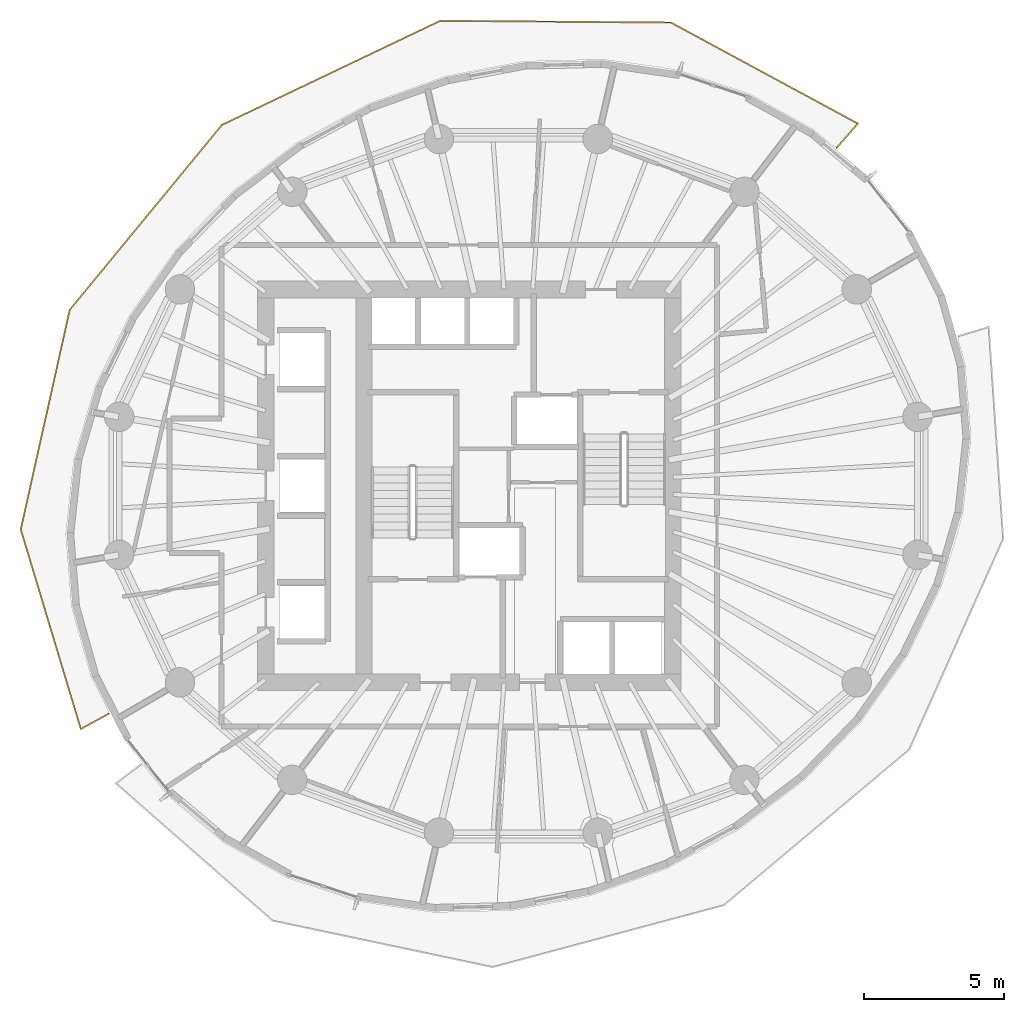
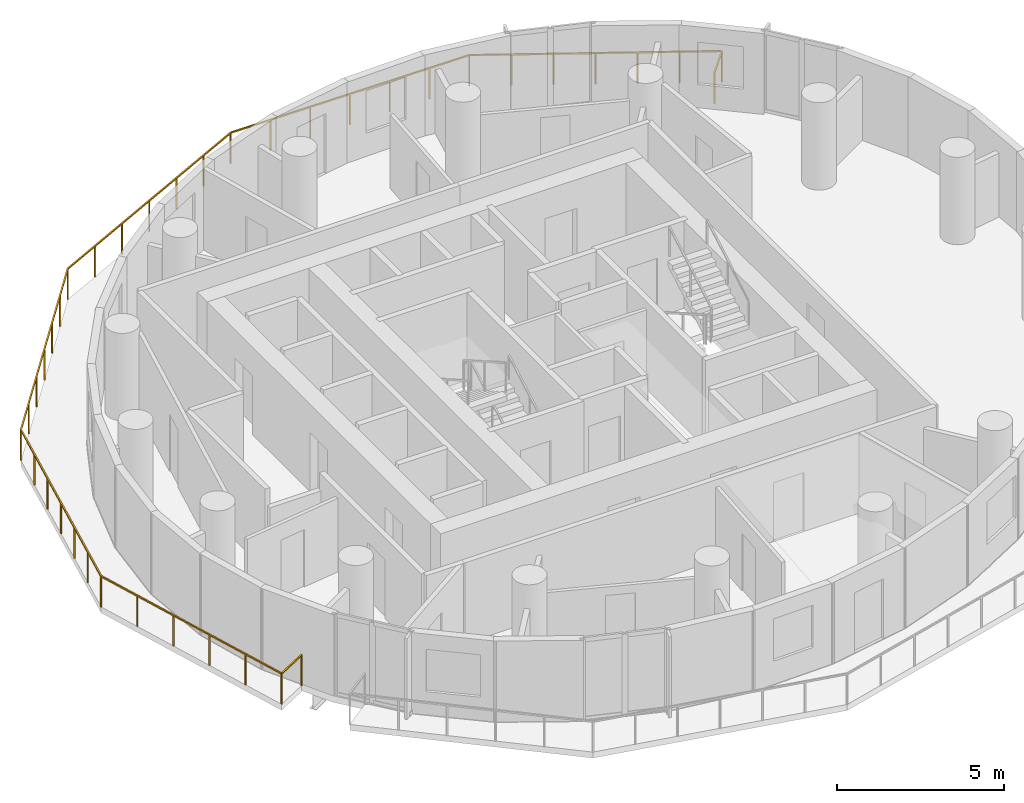
# One storey, part 11 of 12: 1 railing.
"""IFC4 building model written with IfcOpenShell, lengths in metres."""

import ifcopenshell
import ifcopenshell.guid

model = None  # the IFC model being written
_history = None  # IfcOwnerHistory: only IFC2X3 demands one
_inside = {}  # id of a spatial element -> (the spatial element, [elements in it])
_under = {}  # id of a project, library or spatial element -> (it, [spatial elements below it])
_declared = {}  # id of a project -> (the project, [libraries it declares])
_typed = {}  # id of a type object -> (the type object, [elements of that type])
_made_of = {}  # id of a material, layer set ... -> (it, [elements and type objects made of it])


def new_model(schema):
    """Start an empty IFC model of exactly this schema.

    Asked for "IFC4X3", IfcOpenShell would pick the latest addendum, in which some entities
    have other attributes; the version numbers below select the first issue.
    IFC2X3 requires an IfcOwnerHistory on every rooted entity: one is made here for all.
    """
    global model, _history
    if schema == "IFC4X3":
        model = ifcopenshell.file(schema_version=(4, 3, 0, 0))
    else:
        model = ifcopenshell.file(schema=schema)
    _inside.clear()
    _under.clear()
    _declared.clear()
    _typed.clear()
    _made_of.clear()
    _history = None
    if model.schema == "IFC2X3":
        org = make("IfcOrganization", Name="unknown")
        user = make(
            "IfcPersonAndOrganization",
            ThePerson=make("IfcPerson", FamilyName="unknown"),
            TheOrganization=org,
        )
        app = make(
            "IfcApplication",
            ApplicationDeveloper=org,
            Version="unknown",
            ApplicationFullName="unknown",
            ApplicationIdentifier="unknown",
        )
        _history = make(
            "IfcOwnerHistory",
            OwningUser=user,
            OwningApplication=app,
            ChangeAction="ADDED",
            CreationDate=0,
        )
    return model


def make(cls, **values):
    """One entity of the class cls with the attributes given. An attribute that is None is left unset."""
    return model.create_entity(
        cls, **{name: value for name, value in values.items() if value is not None}
    )


def rooted(cls, **values):
    """An entity with a GlobalId (a new one), such as an element, a storey or a relation."""
    return make(cls, GlobalId=ifcopenshell.guid.new(), OwnerHistory=_history, **values)


def si_unit(unit_type, name, prefix=None):
    """IfcSIUnit, for example si_unit("LENGTHUNIT", "METRE", prefix="MILLI")."""
    return make("IfcSIUnit", UnitType=unit_type, Prefix=prefix, Name=name)


def assignment(units):
    """IfcUnitAssignment: the units of a project."""
    return None if units is None else make("IfcUnitAssignment", Units=units)


def point(xyz):
    """IfcCartesianPoint."""
    return None if xyz is None else make("IfcCartesianPoint", Coordinates=xyz)


def direction(xyz):
    """IfcDirection."""
    return None if xyz is None else make("IfcDirection", DirectionRatios=xyz)


def frame(location, z_axis=None, x_axis=None):
    """IfcAxis2Placement3D, a coordinate frame: its origin and axes. An axis left out is left unset."""
    return make(
        "IfcAxis2Placement3D",
        Location=point(location),
        Axis=direction(z_axis),
        RefDirection=direction(x_axis),
    )


def frame_2d(location, x_axis=None):
    """IfcAxis2Placement2D, a coordinate frame in the plane: its origin and x axis."""
    return make(
        "IfcAxis2Placement2D", Location=point(location), RefDirection=direction(x_axis)
    )


def origin():
    """The frame at (0, 0, 0) with its axes left unset."""
    return frame((0.0, 0.0, 0.0))


def origin_2d():
    """The frame at (0, 0) in the plane with its x axis left unset."""
    return frame_2d((0.0, 0.0))


def place(relative_to, where):
    """IfcLocalPlacement: puts the frame where relative to a parent placement (None: the world)."""
    return make(
        "IfcLocalPlacement", PlacementRelTo=relative_to, RelativePlacement=where
    )


def context(
    kind, dimensions, precision=None, world=None, true_north=None, identifier=None
):
    """IfcGeometricRepresentationContext, for example the 3D "Model" context."""
    return make(
        "IfcGeometricRepresentationContext",
        ContextIdentifier=identifier,
        ContextType=kind,
        CoordinateSpaceDimension=dimensions,
        Precision=precision,
        WorldCoordinateSystem=world,
        TrueNorth=true_north,
    )


def subcontext(parent, identifier, kind, view, scale=None):
    """IfcGeometricRepresentationSubContext, for example "Body" below "Model"."""
    return make(
        "IfcGeometricRepresentationSubContext",
        ContextIdentifier=identifier,
        ContextType=kind,
        ParentContext=parent,
        TargetScale=scale,
        TargetView=view,
    )


def project(units=None, contexts=None):
    """IfcProject with its units and contexts."""
    return rooted(
        "IfcProject",
        Name="project",
        RepresentationContexts=contexts,
        UnitsInContext=assignment(units),
    )


def spatial(cls, under=None, at=None, **own):
    """A site, building, storey or space (cls), placed at a placement, below another one or the project."""
    s = rooted(cls, ObjectPlacement=at, **own)
    if under is not None:
        _under.setdefault(under.id(), (under, []))[1].append(s)
    return s


def profile(cls, at=None, kind="AREA", **sizes):
    """A parametric profile (cls). Its sizes go by their IFC names, for example OverallWidth=200.0."""
    return make(cls, ProfileType=kind, Position=at, **sizes)


def rectangle(**sizes):
    """IfcRectangleProfileDef."""
    return profile("IfcRectangleProfileDef", **sizes)


def extrude(swept, where, along, depth):
    """IfcExtrudedAreaSolid: the profile swept, set in the frame where, extruded along a direction by depth."""
    return make(
        "IfcExtrudedAreaSolid",
        SweptArea=swept,
        Position=where,
        ExtrudedDirection=direction(along),
        Depth=depth,
    )


def shape(context_of_items, identifier, shape_type, items):
    """IfcShapeRepresentation: the items that make up one representation, for example the "Body"."""
    return make(
        "IfcShapeRepresentation",
        ContextOfItems=context_of_items,
        RepresentationIdentifier=identifier,
        RepresentationType=shape_type,
        Items=items,
    )


def material(Name=None, Category=None):
    """IfcMaterial."""
    return make("IfcMaterial", Name=Name, Category=Category)


def made_of(thing, what):
    """Note that an element or type object is made of a material, layer set ...; save() writes the relation."""
    if what is not None:
        _made_of.setdefault(what.id(), (what, []))[1].append(thing)
    return thing


def type_object(cls, material=None, **own):
    """A type object (cls), such as IfcWallType, which elements share."""
    return made_of(rooted(cls, **own), material)


def element(
    cls,
    number,
    at=None,
    inside=None,
    cuts=None,
    type_object=None,
    material=None,
    context=None,
    identifier="Body",
    shape_type=None,
    held_by="IfcProductDefinitionShape",
    body=None,
    shapes=None,
    **own,
):
    """One element of the class cls, such as IfcWall. Its Tag is "e" and its number.

    at: its placement. inside: the storey or other place that contains it. cuts: it is an
    opening in that element (IfcRelVoidsElement). A single representation is given by context,
    identifier, shape_type and body (its items); several are given by shapes. held_by: the class
    of the entity that holds the representations. save() writes the other relations.
    """
    e = rooted(cls, Tag="e%d" % number, ObjectPlacement=at, **own)
    if body is not None:
        shapes = [shape(context, identifier, shape_type, body)]
    if shapes is not None:
        e.Representation = make(held_by, Representations=shapes)
    if inside is not None:
        _inside.setdefault(inside.id(), (inside, []))[1].append(e)
    if cuts is not None:
        rooted(
            "IfcRelVoidsElement", RelatingBuildingElement=cuts, RelatedOpeningElement=e
        )
    if type_object is not None:
        _typed.setdefault(type_object.id(), (type_object, []))[1].append(e)
    return made_of(e, material)


def aggregate(whole, parts):
    """IfcRelAggregates: a whole, such as a stair, and the parts it consists of."""
    return rooted("IfcRelAggregates", RelatingObject=whole, RelatedObjects=parts)


def save(model, path):
    """Write the relations noted so far, then the file.

    IfcRelAggregates (storeys below a building ...), IfcRelContainedInSpatialStructure (elements
    in a storey), IfcRelDefinesByType, IfcRelAssociatesMaterial and IfcRelDeclares: one each for
    every whole, place, type object, material and project.
    """
    for whole, parts in _under.values():
        aggregate(whole, parts)
    for where, things in _inside.values():
        rooted(
            "IfcRelContainedInSpatialStructure",
            RelatedElements=things,
            RelatingStructure=where,
        )
    for kind, things in _typed.values():
        rooted("IfcRelDefinesByType", RelatedObjects=things, RelatingType=kind)
    for what, things in _made_of.values():
        rooted("IfcRelAssociatesMaterial", RelatedObjects=things, RelatingMaterial=what)
    for by, libraries in _declared.values():
        rooted("IfcRelDeclares", RelatingContext=by, RelatedDefinitions=libraries)
    model.write(path)


model = new_model("IFC4")

# Units and contexts
model_context = context("Model", 3, precision=1e-05, world=origin(), true_north=direction((0.0, 1.0)))
body_context = subcontext(model_context, "Body", "Model", "MODEL_VIEW")
ifc_project = project(units=[si_unit("LENGTHUNIT", "METRE"), si_unit("AREAUNIT", "SQUARE_METRE"), si_unit("VOLUMEUNIT", "CUBIC_METRE"), si_unit("PLANEANGLEUNIT", "RADIAN"), si_unit("MASSUNIT", "GRAM", prefix="KILO")], contexts=[model_context])

# Site, building, storey
site_placement = place(None, origin())
site = spatial("IfcSite", under=ifc_project, at=site_placement, CompositionType="ELEMENT")
building_placement = place(site_placement, origin())
building = spatial("IfcBuilding", under=site, at=building_placement, Name="Veldorim Arch Residences", CompositionType="ELEMENT")
storey_placement = place(building_placement, frame((0.0, 0.0, 132.9599609375)))
storey = spatial("IfcBuildingStorey", under=building, at=storey_placement, Name="L39", CompositionType="ELEMENT", Elevation=132.9599609375)

# Railing
ifc_material = material(Name="Aluminium", Category="aluminium")
railing_type = type_object("IfcRailingType", Name="Balcony & Terrace Laminated Glass Balustrade 1150", PredefinedType="BALUSTRADE", material=ifc_material)
railing_placement = place(storey_placement, frame((43.344482421875, 36.0439453125, 0.0)))
element("IfcRailing", 1, at=railing_placement, inside=storey, type_object=railing_type, Name="L39 crescent balcony safety balustrade A", PredefinedType="BALUSTRADE", context=body_context, shape_type="SweptSolid", body=[
    extrude(rectangle(XDim=0.048095703125, YDim=0.048095703125, at=origin_2d()), frame((0.0, 0.0, 1.1259765625), z_axis=(0.659871347294, 0.751378602983, 0.0), x_axis=(-0.751378602983, 0.659871347294, 0.0)), (0.0, 0.0, 1.0), 1.14990234375),
    extrude(rectangle(XDim=0.048095703125, YDim=0.048095703125, at=origin_2d()), frame((0.7587890625, 0.864013671875, 1.1259765625), z_axis=(-0.879694854098, 0.475538603768, 0.0), x_axis=(-0.475538603768, -0.879694854098, 0.0)), (0.0, 0.0, 1.0), 7.57568359375),
    extrude(rectangle(XDim=0.048095703125, YDim=0.048095703125, at=origin_2d()), frame((-5.905517578125, 4.466552734375, 1.1259765625), z_axis=(-0.999969496505, 0.007810637569, 0.0), x_axis=(-0.007810637569, -0.999969496505, 0.0)), (0.0, 0.0, 1.0), 8.220703125),
    extrude(rectangle(XDim=0.048095703125, YDim=0.048095703125, at=origin_2d()), frame((-14.1259765625, 4.53076171875, 1.1259765625), z_axis=(-0.902569320291, -0.430544564556, 0.0), x_axis=(0.430544564556, -0.902569320291, 0.0)), (0.0, 0.0, 1.0), 8.62255859375),
    extrude(rectangle(XDim=0.048095703125, YDim=0.048095703125, at=origin_2d()), frame((-21.908447265625, 0.818359375, 1.1259765625), z_axis=(-0.635620004197, -0.772002079184, 0.0), x_axis=(0.772002079184, -0.635620004197, 0.0)), (0.0, 0.0, 1.0), 8.533447265625),
    extrude(rectangle(XDim=0.048095703125, YDim=0.048095703125, at=origin_2d()), frame((-27.33251953125, -5.76953125, 1.1259765625), z_axis=(-0.217536384913, -0.976052212353, 0.0), x_axis=(0.976052212353, -0.217536384913, 0.0)), (0.0, 0.0, 1.0), 8.02001953125),
    extrude(rectangle(XDim=0.048095703125, YDim=0.048095703125, at=origin_2d()), frame((-29.0771484375, -13.597412109375, 1.1259765625), z_axis=(0.288170848247, -0.957579010955, 0.0), x_axis=(0.957579010955, 0.288170848247, 0.0)), (0.0, 0.0, 1.0), 7.42919921875),
    extrude(rectangle(XDim=0.048095703125, YDim=0.048095703125, at=origin_2d()), frame((-26.936279296875, -20.71142578125, 1.1259765625), z_axis=(0.878300933975, 0.478108219317, 0.0), x_axis=(-0.478108219317, 0.878300933975, 0.0)), (0.0, 0.0, 1.0), 1.14990234375),
    extrude(rectangle(XDim=0.0419921875, YDim=0.0419921875, at=origin_2d()), origin(), (0.0, 0.0, 1.0), 1.101806640625),
    extrude(rectangle(XDim=0.0419921875, YDim=0.0419921875, at=origin_2d()), frame((0.7587890625, 0.864013671875, 0.0)), (0.0, 0.0, 1.0), 1.101806640625),
    extrude(rectangle(XDim=0.0419921875, YDim=0.0419921875, at=origin_2d()), frame((-0.35205078125, 1.46435546875, 0.0)), (0.0, 0.0, 1.0), 1.101806640625),
    extrude(rectangle(XDim=0.0419921875, YDim=0.0419921875, at=origin_2d()), frame((-1.462646484375, 2.06494140625, 0.0)), (0.0, 0.0, 1.0), 1.101806640625),
    extrude(rectangle(XDim=0.0419921875, YDim=0.0419921875, at=origin_2d()), frame((-2.5732421875, 2.665283203125, 0.0)), (0.0, 0.0, 1.0), 1.101806640625),
    extrude(rectangle(XDim=0.0419921875, YDim=0.0419921875, at=origin_2d()), frame((-3.68408203125, 3.265625, 0.0)), (0.0, 0.0, 1.0), 1.101806640625),
    extrude(rectangle(XDim=0.0419921875, YDim=0.0419921875, at=origin_2d()), frame((-4.794921875, 3.8662109375, 0.0)), (0.0, 0.0, 1.0), 1.101806640625),
    extrude(rectangle(XDim=0.0419921875, YDim=0.0419921875, at=origin_2d()), frame((-5.905517578125, 4.466552734375, 0.0)), (0.0, 0.0, 1.0), 1.101806640625),
    extrude(rectangle(XDim=0.0419921875, YDim=0.0419921875, at=origin_2d()), frame((-7.275634765625, 4.477294921875, 0.0)), (0.0, 0.0, 1.0), 1.101806640625),
    extrude(rectangle(XDim=0.0419921875, YDim=0.0419921875, at=origin_2d()), frame((-8.645751953125, 4.488037109375, 0.0)), (0.0, 0.0, 1.0), 1.101806640625),
    extrude(rectangle(XDim=0.0419921875, YDim=0.0419921875, at=origin_2d()), frame((-10.015625, 4.49853515625, 0.0)), (0.0, 0.0, 1.0), 1.101806640625),
    extrude(rectangle(XDim=0.0419921875, YDim=0.0419921875, at=origin_2d()), frame((-11.3857421875, 4.50927734375, 0.0)), (0.0, 0.0, 1.0), 1.101806640625),
    extrude(rectangle(XDim=0.0419921875, YDim=0.0419921875, at=origin_2d()), frame((-12.755859375, 4.52001953125, 0.0)), (0.0, 0.0, 1.0), 1.101806640625),
    extrude(rectangle(XDim=0.0419921875, YDim=0.0419921875, at=origin_2d()), frame((-14.1259765625, 4.53076171875, 0.0)), (0.0, 0.0, 1.0), 1.101806640625),
    extrude(rectangle(XDim=0.0419921875, YDim=0.0419921875, at=origin_2d()), frame((-15.423095703125, 3.912109375, 0.0)), (0.0, 0.0, 1.0), 1.101806640625),
    extrude(rectangle(XDim=0.0419921875, YDim=0.0419921875, at=origin_2d()), frame((-16.72021484375, 3.293212890625, 0.0)), (0.0, 0.0, 1.0), 1.101806640625),
    extrude(rectangle(XDim=0.0419921875, YDim=0.0419921875, at=origin_2d()), frame((-18.01708984375, 2.674560546875, 0.0)), (0.0, 0.0, 1.0), 1.101806640625),
    extrude(rectangle(XDim=0.0419921875, YDim=0.0419921875, at=origin_2d()), frame((-19.314208984375, 2.055908203125, 0.0)), (0.0, 0.0, 1.0), 1.101806640625),
    extrude(rectangle(XDim=0.0419921875, YDim=0.0419921875, at=origin_2d()), frame((-20.611328125, 1.43701171875, 0.0)), (0.0, 0.0, 1.0), 1.101806640625),
    extrude(rectangle(XDim=0.0419921875, YDim=0.0419921875, at=origin_2d()), frame((-21.908447265625, 0.818359375, 0.0)), (0.0, 0.0, 1.0), 1.101806640625),
    extrude(rectangle(XDim=0.0419921875, YDim=0.0419921875, at=origin_2d()), frame((-22.8125, -0.279541015625, 0.0)), (0.0, 0.0, 1.0), 1.101806640625),
    extrude(rectangle(XDim=0.0419921875, YDim=0.0419921875, at=origin_2d()), frame((-23.716552734375, -1.377685546875, 0.0)), (0.0, 0.0, 1.0), 1.101806640625),
    extrude(rectangle(XDim=0.0419921875, YDim=0.0419921875, at=origin_2d()), frame((-24.62060546875, -2.4755859375, 0.0)), (0.0, 0.0, 1.0), 1.101806640625),
    extrude(rectangle(XDim=0.0419921875, YDim=0.0419921875, at=origin_2d()), frame((-25.5244140625, -3.573486328125, 0.0)), (0.0, 0.0, 1.0), 1.101806640625),
    extrude(rectangle(XDim=0.0419921875, YDim=0.0419921875, at=origin_2d()), frame((-26.428466796875, -4.671630859375, 0.0)), (0.0, 0.0, 1.0), 1.101806640625),
    extrude(rectangle(XDim=0.0419921875, YDim=0.0419921875, at=origin_2d()), frame((-27.33251953125, -5.76953125, 0.0)), (0.0, 0.0, 1.0), 1.101806640625),
    extrude(rectangle(XDim=0.0419921875, YDim=0.0419921875, at=origin_2d()), frame((-27.623291015625, -7.07421875, 0.0)), (0.0, 0.0, 1.0), 1.101806640625),
    extrude(rectangle(XDim=0.0419921875, YDim=0.0419921875, at=origin_2d()), frame((-27.9140625, -8.37890625, 0.0)), (0.0, 0.0, 1.0), 1.101806640625),
    extrude(rectangle(XDim=0.0419921875, YDim=0.0419921875, at=origin_2d()), frame((-28.204833984375, -9.68359375, 0.0)), (0.0, 0.0, 1.0), 1.101806640625),
    extrude(rectangle(XDim=0.0419921875, YDim=0.0419921875, at=origin_2d()), frame((-28.49560546875, -10.988037109375, 0.0)), (0.0, 0.0, 1.0), 1.101806640625),
    extrude(rectangle(XDim=0.0419921875, YDim=0.0419921875, at=origin_2d()), frame((-28.786376953125, -12.292724609375, 0.0)), (0.0, 0.0, 1.0), 1.101806640625),
    extrude(rectangle(XDim=0.0419921875, YDim=0.0419921875, at=origin_2d()), frame((-29.0771484375, -13.597412109375, 0.0)), (0.0, 0.0, 1.0), 1.101806640625),
    extrude(rectangle(XDim=0.0419921875, YDim=0.0419921875, at=origin_2d()), frame((-28.64892578125, -15.020263671875, 0.0)), (0.0, 0.0, 1.0), 1.101806640625),
    extrude(rectangle(XDim=0.0419921875, YDim=0.0419921875, at=origin_2d()), frame((-28.220703125, -16.443115234375, 0.0)), (0.0, 0.0, 1.0), 1.101806640625),
    extrude(rectangle(XDim=0.0419921875, YDim=0.0419921875, at=origin_2d()), frame((-27.792724609375, -17.86572265625, 0.0)), (0.0, 0.0, 1.0), 1.101806640625),
    extrude(rectangle(XDim=0.0419921875, YDim=0.0419921875, at=origin_2d()), frame((-27.364501953125, -19.28857421875, 0.0)), (0.0, 0.0, 1.0), 1.101806640625),
    extrude(rectangle(XDim=0.0419921875, YDim=0.0419921875, at=origin_2d()), frame((-26.936279296875, -20.71142578125, 0.0)), (0.0, 0.0, 1.0), 1.101806640625),
    extrude(rectangle(XDim=0.0419921875, YDim=0.0419921875, at=origin_2d()), frame((-25.92626953125, -20.16162109375, 0.0)), (0.0, 0.0, 1.0), 1.101806640625),
])

save(model, "model.ifc")
